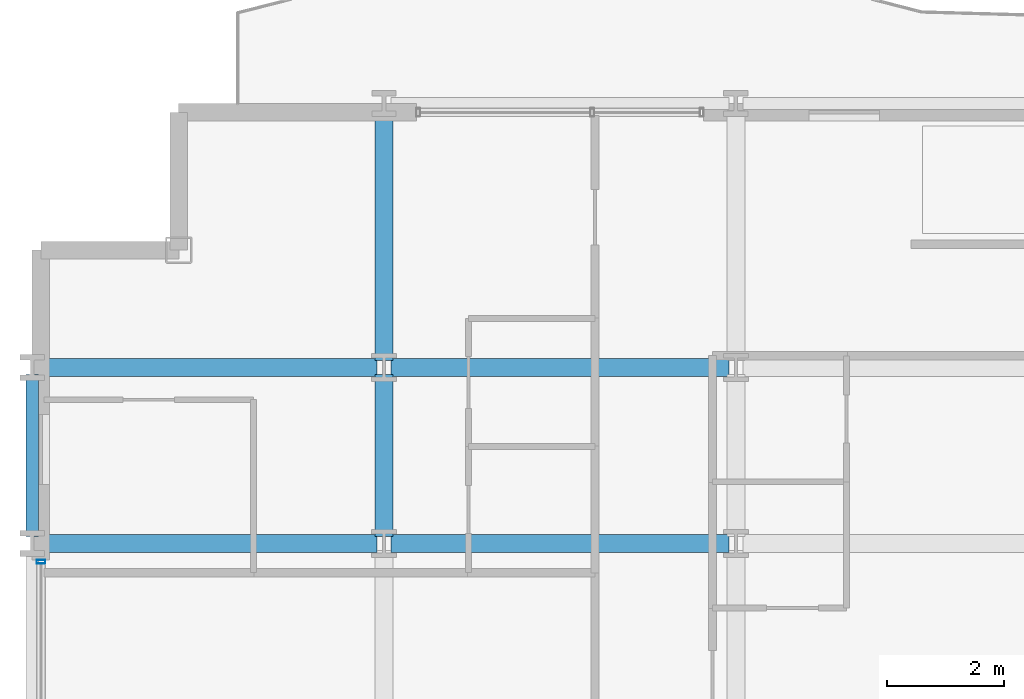
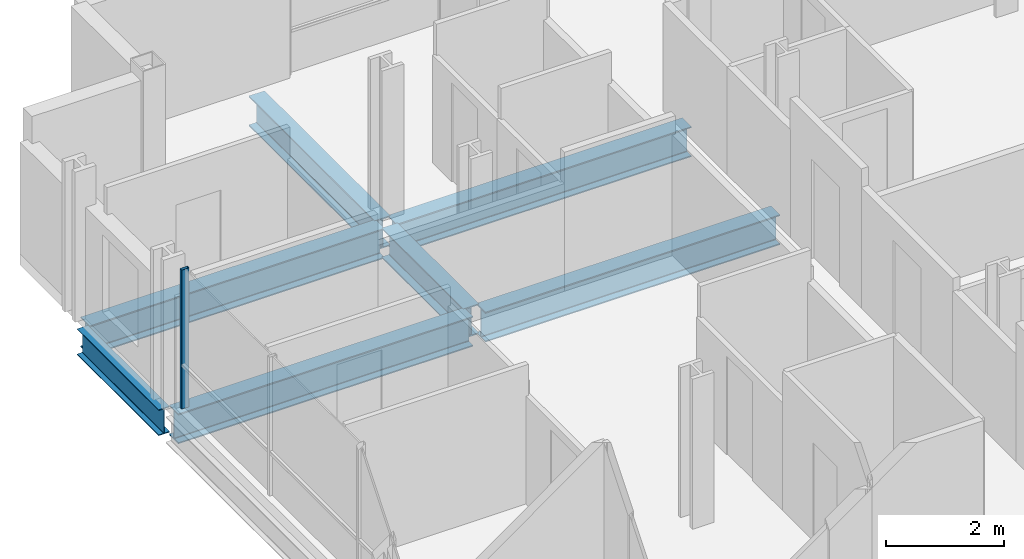
# One storey, part 7 of 41: 7 beams, 1 member, 1 element without a shape of its own.
"""IFC4 building model written with IfcOpenShell, lengths in metres."""

from ifc_helpers import new_model, si_unit, direction, frame, origin, origin_2d, place, context, subcontext, project, spatial, hollow_rectangle, i_section, extrude, material, layer, layer_set, material_profile, profile_set, type_object, element, aggregate, save


model = new_model("IFC4")

# Units and contexts
model_context = context("Model", 3, precision=1e-05, world=origin(), true_north=direction((0.0, 1.0)))
body_context = subcontext(model_context, "Body", "Model", "MODEL_VIEW")
ifc_project = project(units=[si_unit("LENGTHUNIT", "METRE"), si_unit("AREAUNIT", "SQUARE_METRE"), si_unit("VOLUMEUNIT", "CUBIC_METRE"), si_unit("PLANEANGLEUNIT", "RADIAN"), si_unit("MASSUNIT", "GRAM", prefix="KILO")], contexts=[model_context])

# Site, building, storey
site_placement = place(None, origin())
site = spatial("IfcSite", under=ifc_project, at=site_placement, CompositionType="ELEMENT")
building_placement = place(site_placement, origin())
building = spatial("IfcBuilding", under=site, at=building_placement, Name="Brevholm Reach", CompositionType="ELEMENT")
storey_placement = place(building_placement, frame((0.0, 0.0, 43.5)))
storey = spatial("IfcBuildingStorey", under=building, at=storey_placement, Name="L11", CompositionType="ELEMENT", Elevation=43.5)

# Beams
ifc_material_1 = material(Name="Structural Steel S355J2", Category="steel")
ifc_material_profile_1 = material_profile(ifc_material_1, i_section(OverallWidth=0.210693359375, OverallDepth=0.53955078125, WebThickness=0.01171875, FlangeThickness=0.018798828125, FilletRadius=0.0126953125, at=origin_2d()), Name="UKB 533x210x109")
ifc_profile_set_1 = profile_set([ifc_material_profile_1], Name="Structural Steel S355J2")
beam_type_1 = type_object("IfcBeamType", Name="BM-SP539", PredefinedType="SPANDREL", material=ifc_profile_set_1)
beam_1_placement = place(storey_placement, frame((0.0, 23.6201171875, -0.499755859375), z_axis=(0.0, 1.0, 0.0), x_axis=(-1.0, 0.0, 0.0)))
element("IfcBeam", 1, at=beam_1_placement, inside=storey, type_object=beam_type_1, Name="L11 SP-01B Framing Beam", PredefinedType="SPANDREL", context=body_context, shape_type="SweptSolid", body=[
    extrude(i_section(OverallWidth=0.210693359375, OverallDepth=0.53955078125, WebThickness=0.01171875, FlangeThickness=0.018798828125, FilletRadius=0.0126953125, at=origin_2d()), origin(), (0.0, 0.0, 1.0), 2.759765625),
])
ifc_material_2 = material(Name="Structural Steel S355J2", Category="steel")
ifc_material_profile_2 = material_profile(ifc_material_2, i_section(OverallWidth=0.30712890625, OverallDepth=0.6201171875, WebThickness=0.01416015625, FlangeThickness=0.023681640625, FilletRadius=0.0166015625, at=origin_2d()), Name="UKB 610x305x179")
ifc_profile_set_2 = profile_set([ifc_material_profile_2], Name="Structural Steel S355J2")
beam_type_2 = type_object("IfcBeamType", Name="BM-UKB610H", PredefinedType="USERDEFINED", material=ifc_profile_set_2)
for number, where, z_axis, x_axis, name in (
    (2, (0.1201171875, 23.5, -0.5400390625), (1.0, 0.0, 0.0), (0.0, 1.0, 0.0), "L11 G-06 Framing Beam"),
    (3, (6.1201171875, 23.5, -0.5400390625), (1.0, 0.0, 0.0), (0.0, 1.0, 0.0), "L11 G-06 Framing Beam"),
    (4, (0.1201171875, 26.5, -0.5400390625), (1.0, 0.0, 0.0), (0.0, 1.0, 0.0), "L11 G-06 Framing Beam"),
    (5, (6.1201171875, 26.5, -0.5400390625), (1.0, 0.0, 0.0), (0.0, 1.0, 0.0), "L11 G-06 Framing Beam"),
):
    element("IfcBeam", number, at=place(storey_placement, frame(where, z_axis=z_axis, x_axis=x_axis)), inside=storey, type_object=beam_type_2, Name=name, ObjectType="GIRDER", PredefinedType="USERDEFINED", context=body_context, shape_type="SweptSolid", body=[
        extrude(i_section(OverallWidth=0.30712890625, OverallDepth=0.6201171875, WebThickness=0.01416015625, FlangeThickness=0.023681640625, FilletRadius=0.0166015625, at=origin_2d()), origin(), (0.0, 0.0, 1.0), 5.759765625),
    ])
beam_2_placement = place(storey_placement, frame((6.0, 23.6201171875, -0.5400390625), z_axis=(0.0, 1.0, 0.0), x_axis=(-1.0, 0.0, 0.0)))
element("IfcBeam", 6, at=beam_2_placement, inside=storey, type_object=beam_type_2, Name="L11 G-06 Framing Beam", ObjectType="GIRDER", PredefinedType="USERDEFINED", context=body_context, shape_type="SweptSolid", body=[
    extrude(i_section(OverallWidth=0.30712890625, OverallDepth=0.6201171875, WebThickness=0.01416015625, FlangeThickness=0.023681640625, FilletRadius=0.0166015625, at=origin_2d()), origin(), (0.0, 0.0, 1.0), 2.759765625),
])
beam_3_placement = place(storey_placement, frame((6.0, 26.6201171875, -0.5400390625), z_axis=(0.0, 1.0, 0.0), x_axis=(-1.0, 0.0, 0.0)))
element("IfcBeam", 7, at=beam_3_placement, inside=storey, type_object=beam_type_2, Name="L11 G-06 Framing Beam", ObjectType="GIRDER", PredefinedType="USERDEFINED", context=body_context, shape_type="SweptSolid", body=[
    extrude(i_section(OverallWidth=0.30712890625, OverallDepth=0.6201171875, WebThickness=0.01416015625, FlangeThickness=0.023681640625, FilletRadius=0.0166015625, at=origin_2d()), origin(), (0.0, 0.0, 1.0), 4.259765625),
])

# Curtain wall, member
ifc_material_3 = material(Name="Dark Anodised Aluminium 6063-T6 and Solar-Control Glass", Category="aluminium")
ifc_layer = layer(ifc_material_3, 0.14990234375)
ifc_layer_set = layer_set([ifc_layer], Name="Dark Anodised Aluminium 6063-T6 and Solar-Control Glass")
curtain_wall_type = type_object("IfcCurtainWallType", Name="CW-01", PredefinedType="NOTDEFINED", material=ifc_layer_set)
curtain_wall_placement = place(storey_placement, origin())
curtain_wall = element("IfcCurtainWall", 8, at=curtain_wall_placement, inside=storey, type_object=curtain_wall_type, Name="L11 Curtain Wall CW-01", PredefinedType="NOTDEFINED")
ifc_material_4 = material(Name="Dark Anodised Aluminium 6063-T6", Category="aluminium")
ifc_material_profile_3 = material_profile(ifc_material_4, hollow_rectangle(XDim=0.06494140625, YDim=0.14990234375, WallThickness=0.0048828125, InnerFilletRadius=0.0048828125, OuterFilletRadius=0.010009765625, at=origin_2d()), Name="RHS 150x65x5")
ifc_profile_set_3 = profile_set([ifc_material_profile_3], Name="Dark Anodised Aluminium 6063-T6")
member_type = type_object("IfcMemberType", Name="CWM-150", PredefinedType="MULLION", material=ifc_profile_set_3)
member_placement = place(storey_placement, frame((0.14990234375, 23.1875, 0.0), z_axis=(0.0, 0.0, 1.0), x_axis=(0.0, -1.0, 0.0)))
member = element("IfcMember", 9, at=member_placement, type_object=member_type, Name="CM-150 Mullion 1", PredefinedType="MULLION", context=body_context, shape_type="SweptSolid", body=[
    extrude(hollow_rectangle(XDim=0.06494140625, YDim=0.14990234375, WallThickness=0.0048828125, InnerFilletRadius=0.0048828125, OuterFilletRadius=0.010009765625, at=origin_2d()), origin(), (0.0, 0.0, 1.0), 2.8701171875),
])
aggregate(curtain_wall, [member])

save(model, "model.ifc")
